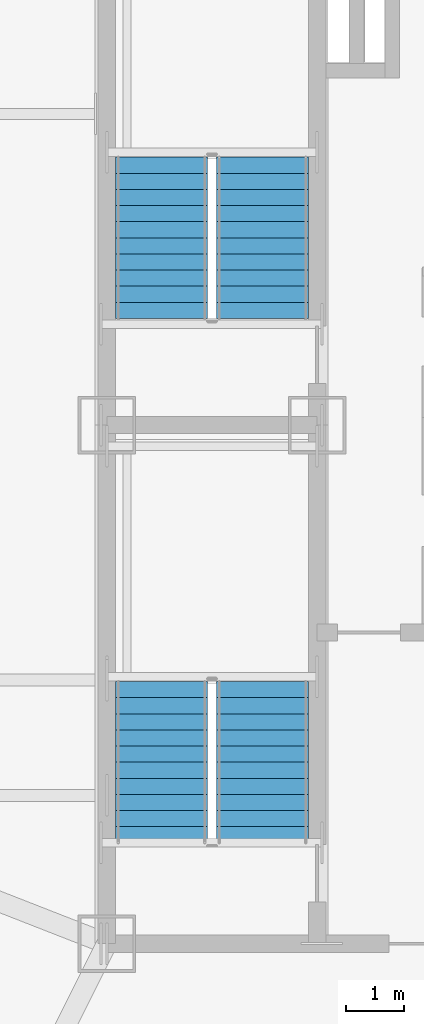
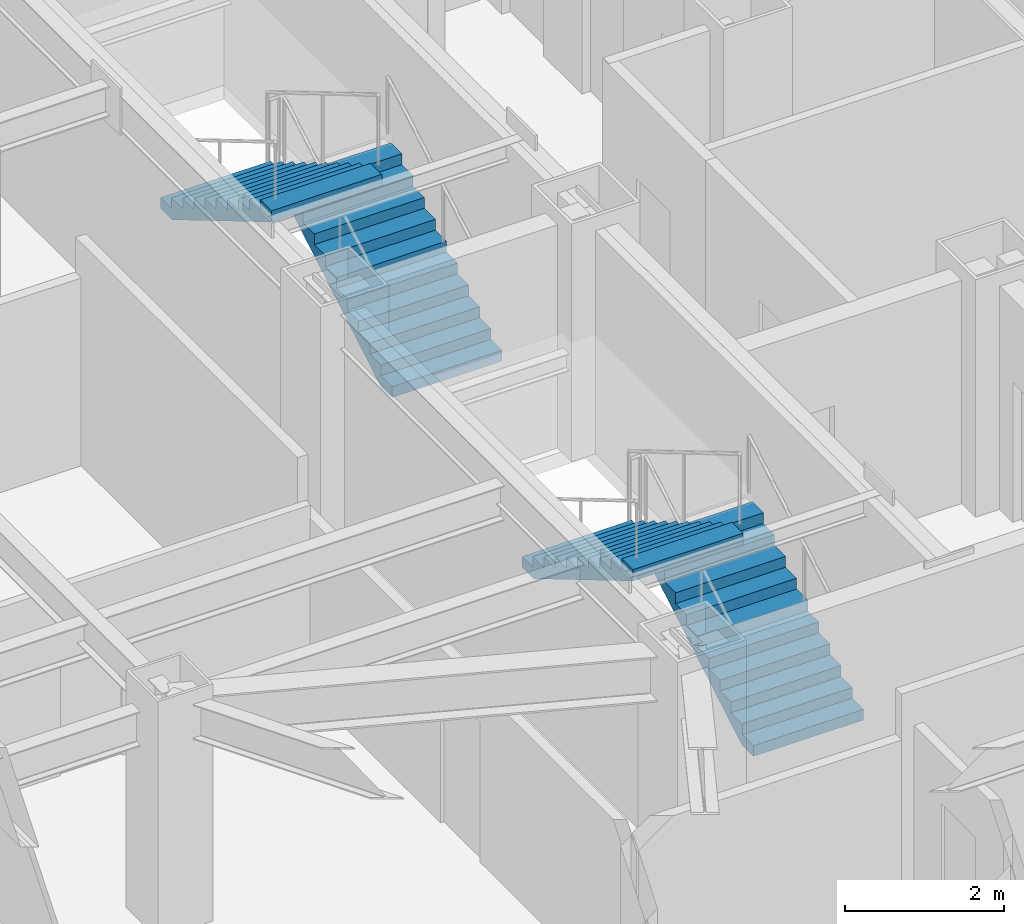
# One storey, part 9 of 10: 4 stair flights, 2 elements without a shape of their own.
"""IFC4 building model written with IfcOpenShell, lengths in metres."""

import ifcopenshell
import ifcopenshell.guid

model = None  # the IFC model being written
_history = None  # IfcOwnerHistory: only IFC2X3 demands one
_inside = {}  # id of a spatial element -> (the spatial element, [elements in it])
_under = {}  # id of a project, library or spatial element -> (it, [spatial elements below it])
_declared = {}  # id of a project -> (the project, [libraries it declares])
_typed = {}  # id of a type object -> (the type object, [elements of that type])
_made_of = {}  # id of a material, layer set ... -> (it, [elements and type objects made of it])


def new_model(schema):
    """Start an empty IFC model of exactly this schema.

    Asked for "IFC4X3", IfcOpenShell would pick the latest addendum, in which some entities
    have other attributes; the version numbers below select the first issue.
    IFC2X3 requires an IfcOwnerHistory on every rooted entity: one is made here for all.
    """
    global model, _history
    if schema == "IFC4X3":
        model = ifcopenshell.file(schema_version=(4, 3, 0, 0))
    else:
        model = ifcopenshell.file(schema=schema)
    _inside.clear()
    _under.clear()
    _declared.clear()
    _typed.clear()
    _made_of.clear()
    _history = None
    if model.schema == "IFC2X3":
        org = make("IfcOrganization", Name="unknown")
        user = make(
            "IfcPersonAndOrganization",
            ThePerson=make("IfcPerson", FamilyName="unknown"),
            TheOrganization=org,
        )
        app = make(
            "IfcApplication",
            ApplicationDeveloper=org,
            Version="unknown",
            ApplicationFullName="unknown",
            ApplicationIdentifier="unknown",
        )
        _history = make(
            "IfcOwnerHistory",
            OwningUser=user,
            OwningApplication=app,
            ChangeAction="ADDED",
            CreationDate=0,
        )
    return model


def make(cls, **values):
    """One entity of the class cls with the attributes given. An attribute that is None is left unset."""
    return model.create_entity(
        cls, **{name: value for name, value in values.items() if value is not None}
    )


def rooted(cls, **values):
    """An entity with a GlobalId (a new one), such as an element, a storey or a relation."""
    return make(cls, GlobalId=ifcopenshell.guid.new(), OwnerHistory=_history, **values)


def si_unit(unit_type, name, prefix=None):
    """IfcSIUnit, for example si_unit("LENGTHUNIT", "METRE", prefix="MILLI")."""
    return make("IfcSIUnit", UnitType=unit_type, Prefix=prefix, Name=name)


def assignment(units):
    """IfcUnitAssignment: the units of a project."""
    return None if units is None else make("IfcUnitAssignment", Units=units)


def point(xyz):
    """IfcCartesianPoint."""
    return None if xyz is None else make("IfcCartesianPoint", Coordinates=xyz)


def direction(xyz):
    """IfcDirection."""
    return None if xyz is None else make("IfcDirection", DirectionRatios=xyz)


def frame(location, z_axis=None, x_axis=None):
    """IfcAxis2Placement3D, a coordinate frame: its origin and axes. An axis left out is left unset."""
    return make(
        "IfcAxis2Placement3D",
        Location=point(location),
        Axis=direction(z_axis),
        RefDirection=direction(x_axis),
    )


def origin():
    """The frame at (0, 0, 0) with its axes left unset."""
    return frame((0.0, 0.0, 0.0))


def place(relative_to, where):
    """IfcLocalPlacement: puts the frame where relative to a parent placement (None: the world)."""
    return make(
        "IfcLocalPlacement", PlacementRelTo=relative_to, RelativePlacement=where
    )


def context(
    kind, dimensions, precision=None, world=None, true_north=None, identifier=None
):
    """IfcGeometricRepresentationContext, for example the 3D "Model" context."""
    return make(
        "IfcGeometricRepresentationContext",
        ContextIdentifier=identifier,
        ContextType=kind,
        CoordinateSpaceDimension=dimensions,
        Precision=precision,
        WorldCoordinateSystem=world,
        TrueNorth=true_north,
    )


def subcontext(parent, identifier, kind, view, scale=None):
    """IfcGeometricRepresentationSubContext, for example "Body" below "Model"."""
    return make(
        "IfcGeometricRepresentationSubContext",
        ContextIdentifier=identifier,
        ContextType=kind,
        ParentContext=parent,
        TargetScale=scale,
        TargetView=view,
    )


def project(units=None, contexts=None):
    """IfcProject with its units and contexts."""
    return rooted(
        "IfcProject",
        Name="project",
        RepresentationContexts=contexts,
        UnitsInContext=assignment(units),
    )


def spatial(cls, under=None, at=None, **own):
    """A site, building, storey or space (cls), placed at a placement, below another one or the project."""
    s = rooted(cls, ObjectPlacement=at, **own)
    if under is not None:
        _under.setdefault(under.id(), (under, []))[1].append(s)
    return s


def polyline(points):
    """IfcPolyline through the points."""
    return make("IfcPolyline", Points=[point(p) for p in points])


def outline(outer, holes=None, kind="AREA"):
    """IfcArbitraryClosedProfileDef: a profile drawn as a closed curve; with holes, ...WithVoids."""
    if holes is None:
        return make("IfcArbitraryClosedProfileDef", ProfileType=kind, OuterCurve=outer)
    return make(
        "IfcArbitraryProfileDefWithVoids",
        ProfileType=kind,
        OuterCurve=outer,
        InnerCurves=holes,
    )


def extrude(swept, where, along, depth):
    """IfcExtrudedAreaSolid: the profile swept, set in the frame where, extruded along a direction by depth."""
    return make(
        "IfcExtrudedAreaSolid",
        SweptArea=swept,
        Position=where,
        ExtrudedDirection=direction(along),
        Depth=depth,
    )


def shape(context_of_items, identifier, shape_type, items):
    """IfcShapeRepresentation: the items that make up one representation, for example the "Body"."""
    return make(
        "IfcShapeRepresentation",
        ContextOfItems=context_of_items,
        RepresentationIdentifier=identifier,
        RepresentationType=shape_type,
        Items=items,
    )


def material(Name=None, Category=None):
    """IfcMaterial."""
    return make("IfcMaterial", Name=Name, Category=Category)


def made_of(thing, what):
    """Note that an element or type object is made of a material, layer set ...; save() writes the relation."""
    if what is not None:
        _made_of.setdefault(what.id(), (what, []))[1].append(thing)
    return thing


def type_object(cls, material=None, **own):
    """A type object (cls), such as IfcWallType, which elements share."""
    return made_of(rooted(cls, **own), material)


def element(
    cls,
    number,
    at=None,
    inside=None,
    cuts=None,
    type_object=None,
    material=None,
    context=None,
    identifier="Body",
    shape_type=None,
    held_by="IfcProductDefinitionShape",
    body=None,
    shapes=None,
    **own,
):
    """One element of the class cls, such as IfcWall. Its Tag is "e" and its number.

    at: its placement. inside: the storey or other place that contains it. cuts: it is an
    opening in that element (IfcRelVoidsElement). A single representation is given by context,
    identifier, shape_type and body (its items); several are given by shapes. held_by: the class
    of the entity that holds the representations. save() writes the other relations.
    """
    e = rooted(cls, Tag="e%d" % number, ObjectPlacement=at, **own)
    if body is not None:
        shapes = [shape(context, identifier, shape_type, body)]
    if shapes is not None:
        e.Representation = make(held_by, Representations=shapes)
    if inside is not None:
        _inside.setdefault(inside.id(), (inside, []))[1].append(e)
    if cuts is not None:
        rooted(
            "IfcRelVoidsElement", RelatingBuildingElement=cuts, RelatedOpeningElement=e
        )
    if type_object is not None:
        _typed.setdefault(type_object.id(), (type_object, []))[1].append(e)
    return made_of(e, material)


def aggregate(whole, parts):
    """IfcRelAggregates: a whole, such as a stair, and the parts it consists of."""
    return rooted("IfcRelAggregates", RelatingObject=whole, RelatedObjects=parts)


def save(model, path):
    """Write the relations noted so far, then the file.

    IfcRelAggregates (storeys below a building ...), IfcRelContainedInSpatialStructure (elements
    in a storey), IfcRelDefinesByType, IfcRelAssociatesMaterial and IfcRelDeclares: one each for
    every whole, place, type object, material and project.
    """
    for whole, parts in _under.values():
        aggregate(whole, parts)
    for where, things in _inside.values():
        rooted(
            "IfcRelContainedInSpatialStructure",
            RelatedElements=things,
            RelatingStructure=where,
        )
    for kind, things in _typed.values():
        rooted("IfcRelDefinesByType", RelatedObjects=things, RelatingType=kind)
    for what, things in _made_of.values():
        rooted("IfcRelAssociatesMaterial", RelatedObjects=things, RelatingMaterial=what)
    for by, libraries in _declared.values():
        rooted("IfcRelDeclares", RelatingContext=by, RelatedDefinitions=libraries)
    model.write(path)


model = new_model("IFC4")

# Units and contexts
model_context = context("Model", 3, precision=1e-05, world=origin(), true_north=direction((0.0, 1.0)))
body_context = subcontext(model_context, "Body", "Model", "MODEL_VIEW")
ifc_project = project(units=[si_unit("LENGTHUNIT", "METRE"), si_unit("AREAUNIT", "SQUARE_METRE"), si_unit("VOLUMEUNIT", "CUBIC_METRE"), si_unit("PLANEANGLEUNIT", "RADIAN"), si_unit("MASSUNIT", "GRAM", prefix="KILO")], contexts=[model_context])

# Site, building, storey
site_placement = place(None, origin())
site = spatial("IfcSite", under=ifc_project, at=site_placement, CompositionType="ELEMENT")
building_placement = place(site_placement, origin())
building = spatial("IfcBuilding", under=site, at=building_placement, Name="Khamvora Tower", CompositionType="ELEMENT")
storey_placement = place(building_placement, frame((0.0, 0.0, 246.39990234375)))
storey = spatial("IfcBuildingStorey", under=building, at=storey_placement, Name="L63", CompositionType="ELEMENT", Elevation=246.39990234375)

# Stair, stair flights
ifc_material = material(Name="Concrete C40/50", Category="concrete")
stair_type_1 = type_object("IfcStairType", Name="STR-ST-01", PredefinedType="HALF_TURN_STAIR", material=ifc_material)
stair_1_placement = place(storey_placement, origin())
stair_1 = element("IfcStair", 1, at=stair_1_placement, inside=storey, type_object=stair_type_1, Name="L63 South Tower Exit Stair ST-01", PredefinedType="HALF_TURN_STAIR")
stair_flight_type_1 = type_object("IfcStairFlightType", Name="STF-ST-01", PredefinedType="STRAIGHT", material=ifc_material)
stair_flight_1_placement = place(storey_placement, frame((31.699951171875, 20.75, 0.0), z_axis=(0.0, 0.0, 1.0), x_axis=(0.0, 1.0, 0.0)))
stair_flight_1 = element("IfcStairFlight", 2, at=stair_flight_1_placement, type_object=stair_flight_type_1, Name="ST-01 flight 1", NumberOfRisers=11, NumberOfTreads=10, PredefinedType="STRAIGHT", RiserHeight=0.165909091, TreadLength=0.28, context=body_context, shape_type="SweptSolid", body=[
    extrude(outline(polyline([(0.0, 0.0), (0.0, 0.166015625), (0.280029296875, 0.166015625), (0.280029296875, 0.331787109375), (0.56005859375, 0.331787109375), (0.56005859375, 0.497802734375), (0.840087890625, 0.497802734375), (0.840087890625, 0.66357421875), (1.1201171875, 0.66357421875), (1.1201171875, 0.82958984375), (1.39990234375, 0.82958984375), (1.39990234375, 0.995361328125), (1.679931640625, 0.995361328125), (1.679931640625, 1.161376953125), (1.9599609375, 1.161376953125), (1.9599609375, 1.327392578125), (2.239990234375, 1.327392578125), (2.239990234375, 1.4931640625), (2.52001953125, 1.4931640625), (2.52001953125, 1.6591796875), (2.800048828125, 1.6591796875), (2.800048828125, 1.824951171875), (2.800048828125, 1.48486328125), (0.2939453125, 0.0), (0.0, 0.0)])), frame((0.0, 0.800048828125, 0.0), z_axis=(0.0, -1.0, 0.0), x_axis=(1.0, 0.0, 0.0)), (0.0, 0.0, 1.0), 1.60009765625),
])
stair_flight_2_placement = place(storey_placement, frame((29.949951171875, 23.550048828125, 1.8251953125), z_axis=(0.0, 0.0, 1.0), x_axis=(0.0, -1.0, 0.0)))
stair_flight_2 = element("IfcStairFlight", 3, at=stair_flight_2_placement, type_object=stair_flight_type_1, Name="ST-01 flight 2", NumberOfRisers=11, NumberOfTreads=10, PredefinedType="STRAIGHT", RiserHeight=0.165909091, TreadLength=0.28, context=body_context, shape_type="SweptSolid", body=[
    extrude(outline(polyline([(0.0, 0.0), (0.0, 0.166015625), (0.280029296875, 0.166015625), (0.280029296875, 0.331787109375), (0.56005859375, 0.331787109375), (0.56005859375, 0.497802734375), (0.840087890625, 0.497802734375), (0.840087890625, 0.66357421875), (1.1201171875, 0.66357421875), (1.1201171875, 0.82958984375), (1.39990234375, 0.82958984375), (1.39990234375, 0.995361328125), (1.679931640625, 0.995361328125), (1.679931640625, 1.161376953125), (1.9599609375, 1.161376953125), (1.9599609375, 1.327392578125), (2.239990234375, 1.327392578125), (2.239990234375, 1.4931640625), (2.52001953125, 1.4931640625), (2.52001953125, 1.6591796875), (2.800048828125, 1.6591796875), (2.800048828125, 1.824951171875), (2.800048828125, 1.48486328125), (0.2939453125, 0.0), (0.0, 0.0)])), frame((0.0, 0.800048828125, 0.0), z_axis=(0.0, -1.0, 0.0), x_axis=(1.0, 0.0, 0.0)), (0.0, 0.0, 1.0), 1.60009765625),
])
aggregate(stair_1, [stair_flight_1, stair_flight_2])

stair_type_2 = type_object("IfcStairType", Name="STR-ST-02", PredefinedType="HALF_TURN_STAIR", material=ifc_material)
stair_2_placement = place(storey_placement, origin())
stair_2 = element("IfcStair", 4, at=stair_2_placement, inside=storey, type_object=stair_type_2, Name="L63 North Tower Exit Stair ST-02", PredefinedType="HALF_TURN_STAIR")
stair_flight_type_2 = type_object("IfcStairFlightType", Name="STF-ST-02", PredefinedType="STRAIGHT", material=ifc_material)
stair_flight_3_placement = place(storey_placement, frame((31.699951171875, 29.85009765625, 0.0), z_axis=(0.0, 0.0, 1.0), x_axis=(0.0, 1.0, 0.0)))
stair_flight_3 = element("IfcStairFlight", 5, at=stair_flight_3_placement, type_object=stair_flight_type_2, Name="ST-02 flight 1", NumberOfRisers=11, NumberOfTreads=10, PredefinedType="STRAIGHT", RiserHeight=0.165909091, TreadLength=0.28, context=body_context, shape_type="SweptSolid", body=[
    extrude(outline(polyline([(0.0, 0.0), (0.0, 0.166015625), (0.280029296875, 0.166015625), (0.280029296875, 0.331787109375), (0.56005859375, 0.331787109375), (0.56005859375, 0.497802734375), (0.840087890625, 0.497802734375), (0.840087890625, 0.66357421875), (1.1201171875, 0.66357421875), (1.1201171875, 0.82958984375), (1.39990234375, 0.82958984375), (1.39990234375, 0.995361328125), (1.679931640625, 0.995361328125), (1.679931640625, 1.161376953125), (1.9599609375, 1.161376953125), (1.9599609375, 1.327392578125), (2.239990234375, 1.327392578125), (2.239990234375, 1.4931640625), (2.52001953125, 1.4931640625), (2.52001953125, 1.6591796875), (2.800048828125, 1.6591796875), (2.800048828125, 1.824951171875), (2.800048828125, 1.48486328125), (0.2939453125, 0.0), (0.0, 0.0)])), frame((0.0, 0.800048828125, 0.0), z_axis=(0.0, -1.0, 0.0), x_axis=(1.0, 0.0, 0.0)), (0.0, 0.0, 1.0), 1.60009765625),
])
stair_flight_4_placement = place(storey_placement, frame((29.949951171875, 32.64990234375, 1.8251953125), z_axis=(0.0, 0.0, 1.0), x_axis=(0.0, -1.0, 0.0)))
stair_flight_4 = element("IfcStairFlight", 6, at=stair_flight_4_placement, type_object=stair_flight_type_2, Name="ST-02 flight 2", NumberOfRisers=11, NumberOfTreads=10, PredefinedType="STRAIGHT", RiserHeight=0.165909091, TreadLength=0.28, context=body_context, shape_type="SweptSolid", body=[
    extrude(outline(polyline([(0.0, 0.0), (0.0, 0.166015625), (0.280029296875, 0.166015625), (0.280029296875, 0.331787109375), (0.56005859375, 0.331787109375), (0.56005859375, 0.497802734375), (0.840087890625, 0.497802734375), (0.840087890625, 0.66357421875), (1.1201171875, 0.66357421875), (1.1201171875, 0.82958984375), (1.39990234375, 0.82958984375), (1.39990234375, 0.995361328125), (1.679931640625, 0.995361328125), (1.679931640625, 1.161376953125), (1.9599609375, 1.161376953125), (1.9599609375, 1.327392578125), (2.239990234375, 1.327392578125), (2.239990234375, 1.4931640625), (2.52001953125, 1.4931640625), (2.52001953125, 1.6591796875), (2.800048828125, 1.6591796875), (2.800048828125, 1.824951171875), (2.800048828125, 1.48486328125), (0.2939453125, 0.0), (0.0, 0.0)])), frame((0.0, 0.800048828125, 0.0), z_axis=(0.0, -1.0, 0.0), x_axis=(1.0, 0.0, 0.0)), (0.0, 0.0, 1.0), 1.60009765625),
])
aggregate(stair_2, [stair_flight_3, stair_flight_4])

save(model, "model.ifc")
